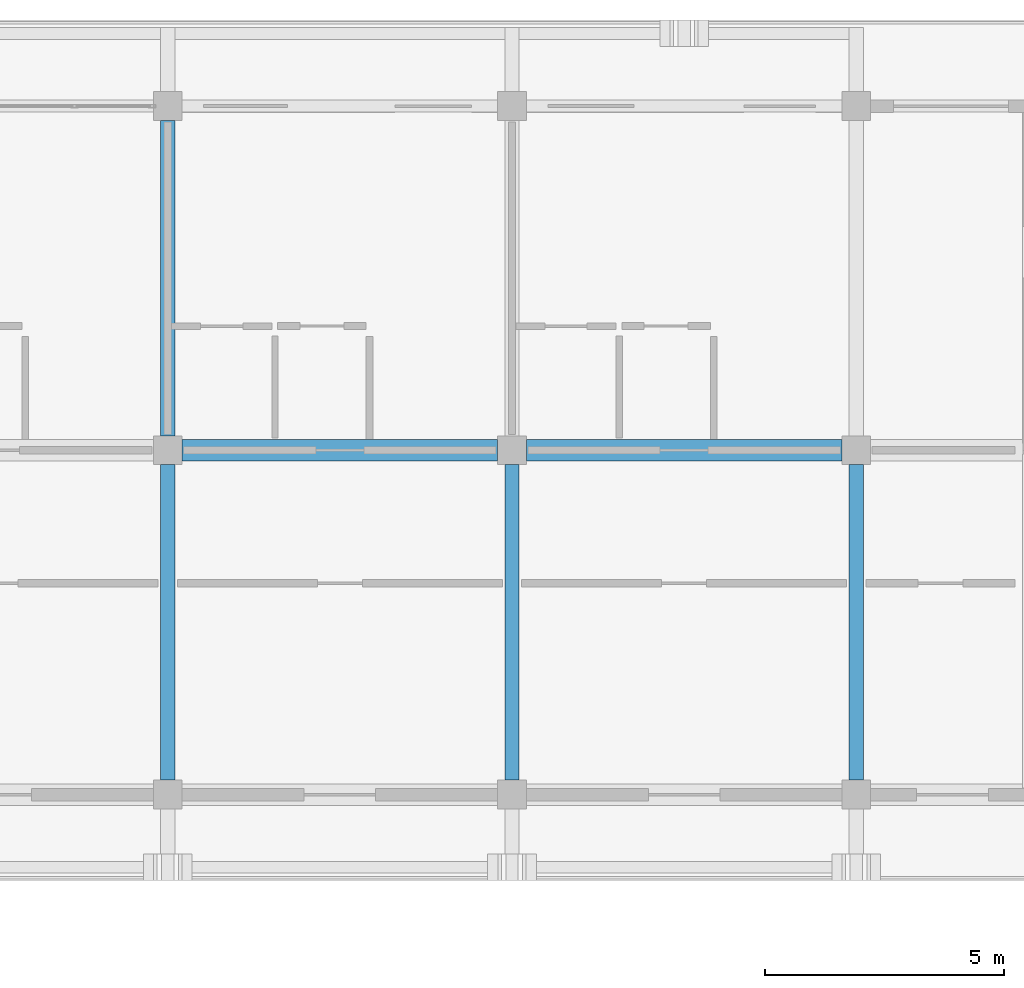
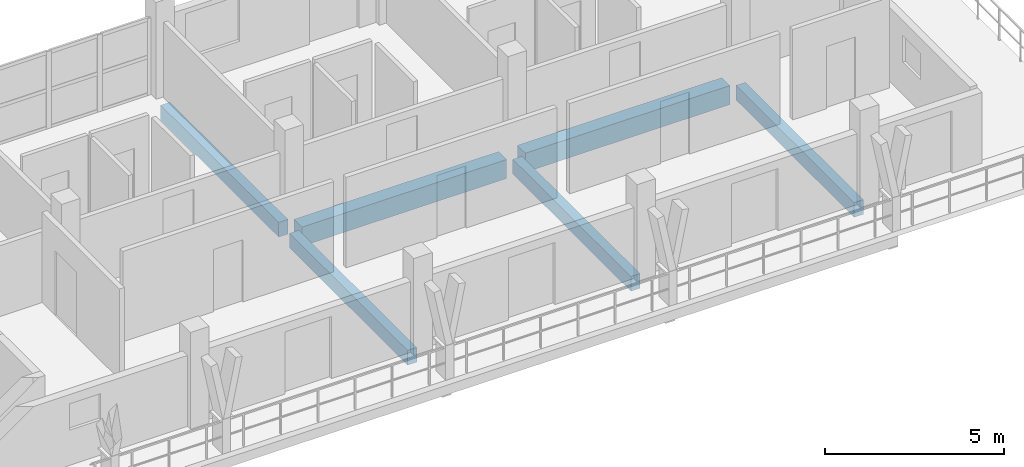
# One storey, part 13 of 60: 6 beams.
"""IFC4 building model written with IfcOpenShell, lengths in metres."""

import ifcopenshell
import ifcopenshell.guid

model = None  # the IFC model being written
_history = None  # IfcOwnerHistory: only IFC2X3 demands one
_inside = {}  # id of a spatial element -> (the spatial element, [elements in it])
_under = {}  # id of a project, library or spatial element -> (it, [spatial elements below it])
_declared = {}  # id of a project -> (the project, [libraries it declares])
_typed = {}  # id of a type object -> (the type object, [elements of that type])
_made_of = {}  # id of a material, layer set ... -> (it, [elements and type objects made of it])


def new_model(schema):
    """Start an empty IFC model of exactly this schema.

    Asked for "IFC4X3", IfcOpenShell would pick the latest addendum, in which some entities
    have other attributes; the version numbers below select the first issue.
    IFC2X3 requires an IfcOwnerHistory on every rooted entity: one is made here for all.
    """
    global model, _history
    if schema == "IFC4X3":
        model = ifcopenshell.file(schema_version=(4, 3, 0, 0))
    else:
        model = ifcopenshell.file(schema=schema)
    _inside.clear()
    _under.clear()
    _declared.clear()
    _typed.clear()
    _made_of.clear()
    _history = None
    if model.schema == "IFC2X3":
        org = make("IfcOrganization", Name="unknown")
        user = make(
            "IfcPersonAndOrganization",
            ThePerson=make("IfcPerson", FamilyName="unknown"),
            TheOrganization=org,
        )
        app = make(
            "IfcApplication",
            ApplicationDeveloper=org,
            Version="unknown",
            ApplicationFullName="unknown",
            ApplicationIdentifier="unknown",
        )
        _history = make(
            "IfcOwnerHistory",
            OwningUser=user,
            OwningApplication=app,
            ChangeAction="ADDED",
            CreationDate=0,
        )
    return model


def make(cls, **values):
    """One entity of the class cls with the attributes given. An attribute that is None is left unset."""
    return model.create_entity(
        cls, **{name: value for name, value in values.items() if value is not None}
    )


def rooted(cls, **values):
    """An entity with a GlobalId (a new one), such as an element, a storey or a relation."""
    return make(cls, GlobalId=ifcopenshell.guid.new(), OwnerHistory=_history, **values)


def si_unit(unit_type, name, prefix=None):
    """IfcSIUnit, for example si_unit("LENGTHUNIT", "METRE", prefix="MILLI")."""
    return make("IfcSIUnit", UnitType=unit_type, Prefix=prefix, Name=name)


def assignment(units):
    """IfcUnitAssignment: the units of a project."""
    return None if units is None else make("IfcUnitAssignment", Units=units)


def point(xyz):
    """IfcCartesianPoint."""
    return None if xyz is None else make("IfcCartesianPoint", Coordinates=xyz)


def direction(xyz):
    """IfcDirection."""
    return None if xyz is None else make("IfcDirection", DirectionRatios=xyz)


def frame(location, z_axis=None, x_axis=None):
    """IfcAxis2Placement3D, a coordinate frame: its origin and axes. An axis left out is left unset."""
    return make(
        "IfcAxis2Placement3D",
        Location=point(location),
        Axis=direction(z_axis),
        RefDirection=direction(x_axis),
    )


def frame_2d(location, x_axis=None):
    """IfcAxis2Placement2D, a coordinate frame in the plane: its origin and x axis."""
    return make(
        "IfcAxis2Placement2D", Location=point(location), RefDirection=direction(x_axis)
    )


def origin():
    """The frame at (0, 0, 0) with its axes left unset."""
    return frame((0.0, 0.0, 0.0))


def origin_2d():
    """The frame at (0, 0) in the plane with its x axis left unset."""
    return frame_2d((0.0, 0.0))


def place(relative_to, where):
    """IfcLocalPlacement: puts the frame where relative to a parent placement (None: the world)."""
    return make(
        "IfcLocalPlacement", PlacementRelTo=relative_to, RelativePlacement=where
    )


def context(
    kind, dimensions, precision=None, world=None, true_north=None, identifier=None
):
    """IfcGeometricRepresentationContext, for example the 3D "Model" context."""
    return make(
        "IfcGeometricRepresentationContext",
        ContextIdentifier=identifier,
        ContextType=kind,
        CoordinateSpaceDimension=dimensions,
        Precision=precision,
        WorldCoordinateSystem=world,
        TrueNorth=true_north,
    )


def subcontext(parent, identifier, kind, view, scale=None):
    """IfcGeometricRepresentationSubContext, for example "Body" below "Model"."""
    return make(
        "IfcGeometricRepresentationSubContext",
        ContextIdentifier=identifier,
        ContextType=kind,
        ParentContext=parent,
        TargetScale=scale,
        TargetView=view,
    )


def project(units=None, contexts=None):
    """IfcProject with its units and contexts."""
    return rooted(
        "IfcProject",
        Name="project",
        RepresentationContexts=contexts,
        UnitsInContext=assignment(units),
    )


def spatial(cls, under=None, at=None, **own):
    """A site, building, storey or space (cls), placed at a placement, below another one or the project."""
    s = rooted(cls, ObjectPlacement=at, **own)
    if under is not None:
        _under.setdefault(under.id(), (under, []))[1].append(s)
    return s


def profile(cls, at=None, kind="AREA", **sizes):
    """A parametric profile (cls). Its sizes go by their IFC names, for example OverallWidth=200.0."""
    return make(cls, ProfileType=kind, Position=at, **sizes)


def rectangle(**sizes):
    """IfcRectangleProfileDef."""
    return profile("IfcRectangleProfileDef", **sizes)


def extrude(swept, where, along, depth):
    """IfcExtrudedAreaSolid: the profile swept, set in the frame where, extruded along a direction by depth."""
    return make(
        "IfcExtrudedAreaSolid",
        SweptArea=swept,
        Position=where,
        ExtrudedDirection=direction(along),
        Depth=depth,
    )


def shape(context_of_items, identifier, shape_type, items):
    """IfcShapeRepresentation: the items that make up one representation, for example the "Body"."""
    return make(
        "IfcShapeRepresentation",
        ContextOfItems=context_of_items,
        RepresentationIdentifier=identifier,
        RepresentationType=shape_type,
        Items=items,
    )


def material(Name=None, Category=None):
    """IfcMaterial."""
    return make("IfcMaterial", Name=Name, Category=Category)


def material_profile(
    of_material, cross_section, Name=None, Category=None, Priority=None
):
    """IfcMaterialProfile: a cross section and its material."""
    return make(
        "IfcMaterialProfile",
        Name=Name,
        Material=of_material,
        Profile=cross_section,
        Priority=Priority,
        Category=Category,
    )


def profile_set(profiles, Name=None, composite=None):
    """IfcMaterialProfileSet."""
    return make(
        "IfcMaterialProfileSet",
        Name=Name,
        MaterialProfiles=profiles,
        CompositeProfile=composite,
    )


def made_of(thing, what):
    """Note that an element or type object is made of a material, layer set ...; save() writes the relation."""
    if what is not None:
        _made_of.setdefault(what.id(), (what, []))[1].append(thing)
    return thing


def type_object(cls, material=None, **own):
    """A type object (cls), such as IfcWallType, which elements share."""
    return made_of(rooted(cls, **own), material)


def element(
    cls,
    number,
    at=None,
    inside=None,
    cuts=None,
    type_object=None,
    material=None,
    context=None,
    identifier="Body",
    shape_type=None,
    held_by="IfcProductDefinitionShape",
    body=None,
    shapes=None,
    **own,
):
    """One element of the class cls, such as IfcWall. Its Tag is "e" and its number.

    at: its placement. inside: the storey or other place that contains it. cuts: it is an
    opening in that element (IfcRelVoidsElement). A single representation is given by context,
    identifier, shape_type and body (its items); several are given by shapes. held_by: the class
    of the entity that holds the representations. save() writes the other relations.
    """
    e = rooted(cls, Tag="e%d" % number, ObjectPlacement=at, **own)
    if body is not None:
        shapes = [shape(context, identifier, shape_type, body)]
    if shapes is not None:
        e.Representation = make(held_by, Representations=shapes)
    if inside is not None:
        _inside.setdefault(inside.id(), (inside, []))[1].append(e)
    if cuts is not None:
        rooted(
            "IfcRelVoidsElement", RelatingBuildingElement=cuts, RelatedOpeningElement=e
        )
    if type_object is not None:
        _typed.setdefault(type_object.id(), (type_object, []))[1].append(e)
    return made_of(e, material)


def aggregate(whole, parts):
    """IfcRelAggregates: a whole, such as a stair, and the parts it consists of."""
    return rooted("IfcRelAggregates", RelatingObject=whole, RelatedObjects=parts)


def save(model, path):
    """Write the relations noted so far, then the file.

    IfcRelAggregates (storeys below a building ...), IfcRelContainedInSpatialStructure (elements
    in a storey), IfcRelDefinesByType, IfcRelAssociatesMaterial and IfcRelDeclares: one each for
    every whole, place, type object, material and project.
    """
    for whole, parts in _under.values():
        aggregate(whole, parts)
    for where, things in _inside.values():
        rooted(
            "IfcRelContainedInSpatialStructure",
            RelatedElements=things,
            RelatingStructure=where,
        )
    for kind, things in _typed.values():
        rooted("IfcRelDefinesByType", RelatedObjects=things, RelatingType=kind)
    for what, things in _made_of.values():
        rooted("IfcRelAssociatesMaterial", RelatedObjects=things, RelatingMaterial=what)
    for by, libraries in _declared.values():
        rooted("IfcRelDeclares", RelatingContext=by, RelatedDefinitions=libraries)
    model.write(path)


model = new_model("IFC4")

# Units and contexts
model_context = context("Model", 3, precision=1e-05, world=origin(), true_north=direction((0.0, 1.0)))
body_context = subcontext(model_context, "Body", "Model", "MODEL_VIEW")
ifc_project = project(units=[si_unit("LENGTHUNIT", "METRE"), si_unit("AREAUNIT", "SQUARE_METRE"), si_unit("VOLUMEUNIT", "CUBIC_METRE"), si_unit("PLANEANGLEUNIT", "RADIAN"), si_unit("MASSUNIT", "GRAM", prefix="KILO")], contexts=[model_context])

# Site, building, storey
site_placement = place(None, origin())
site = spatial("IfcSite", under=ifc_project, at=site_placement, CompositionType="ELEMENT")
building_placement = place(site_placement, origin())
building = spatial("IfcBuilding", under=site, at=building_placement, Name="Suanplinth Sawtooth Commons", CompositionType="ELEMENT")
storey_placement = place(building_placement, frame((0.0, 0.0, 31.5)))
storey = spatial("IfcBuildingStorey", under=building, at=storey_placement, Name="L09", CompositionType="ELEMENT", Elevation=31.5)

# Beams
ifc_material = material(Name="Precast concrete C40/50", Category="concrete")
ifc_material_profile_1 = material_profile(ifc_material, rectangle(XDim=0.449951171875, YDim=0.64990234375, at=origin_2d()), Name="PC-GDR 450x650")
ifc_profile_set_1 = profile_set([ifc_material_profile_1], Name="Precast concrete C40/50")
beam_type_1 = type_object("IfcBeamType", Name="B-04", PredefinedType="USERDEFINED", material=ifc_profile_set_1)
for number, where, z_axis, x_axis, name in (
    (1, (79.5, 115.199951171875, -0.574951171875), (1.0, 0.0, 0.0), (0.0, 1.0, 0.0), "BMX-L09-A-11-16"),
    (2, (86.699951171875, 115.199951171875, -0.574951171875), (1.0, 0.0, 0.0), (0.0, 1.0, 0.0), "BMX-L09-A-12-16"),
):
    element("IfcBeam", number, at=place(storey_placement, frame(where, z_axis=z_axis, x_axis=x_axis)), inside=storey, type_object=beam_type_1, Name=name, ObjectType="GIRDER", PredefinedType="USERDEFINED", context=body_context, shape_type="SweptSolid", body=[
        extrude(rectangle(XDim=0.449951171875, YDim=0.64990234375, at=origin_2d()), origin(), (0.0, 0.0, 1.0), 6.60009765625),
    ])
ifc_material_profile_2 = material_profile(ifc_material, rectangle(XDim=0.300048828125, YDim=0.5, at=origin_2d()), Name="PC-BM 300x500")
ifc_profile_set_2 = profile_set([ifc_material_profile_2], Name="Precast concrete C40/50")
beam_type_2 = type_object("IfcBeamType", Name="B-07", PredefinedType="BEAM", material=ifc_profile_set_2)
beam_1_placement = place(storey_placement, frame((79.199951171875, 108.300048828125, -0.5), z_axis=(0.0, 1.0, 0.0), x_axis=(-1.0, 0.0, 0.0)))
element("IfcBeam", 3, at=beam_1_placement, inside=storey, type_object=beam_type_2, Name="BMY-L09-A-11-15", PredefinedType="BEAM", context=body_context, shape_type="SweptSolid", body=[
    extrude(rectangle(XDim=0.300048828125, YDim=0.5, at=origin_2d()), origin(), (0.0, 0.0, 1.0), 6.599853515625),
])
beam_2_placement = place(storey_placement, frame((79.199951171875, 115.5, -0.5), z_axis=(0.0, 1.0, 0.0), x_axis=(-1.0, 0.0, 0.0)))
element("IfcBeam", 4, at=beam_2_placement, inside=storey, type_object=beam_type_2, Name="BMY-L09-A-11-16", PredefinedType="BEAM", context=body_context, shape_type="SweptSolid", body=[
    extrude(rectangle(XDim=0.300048828125, YDim=0.5, at=origin_2d()), origin(), (0.0, 0.0, 1.0), 6.60009765625),
])
for number, where, z_axis, x_axis, name in (
    (5, (86.39990234375, 108.300048828125, -0.5), (0.0, 1.0, 0.0), (-1.0, 0.0, 0.0), "BMY-L09-A-12-15"),
    (6, (93.60009765625, 108.300048828125, -0.5), (0.0, 1.0, 0.0), (-1.0, 0.0, 0.0), "BMY-L09-A-13-15"),
):
    element("IfcBeam", number, at=place(storey_placement, frame(where, z_axis=z_axis, x_axis=x_axis)), inside=storey, type_object=beam_type_2, Name=name, PredefinedType="BEAM", context=body_context, shape_type="SweptSolid", body=[
        extrude(rectangle(XDim=0.300048828125, YDim=0.5, at=origin_2d()), origin(), (0.0, 0.0, 1.0), 6.599853515625),
    ])

save(model, "model.ifc")
